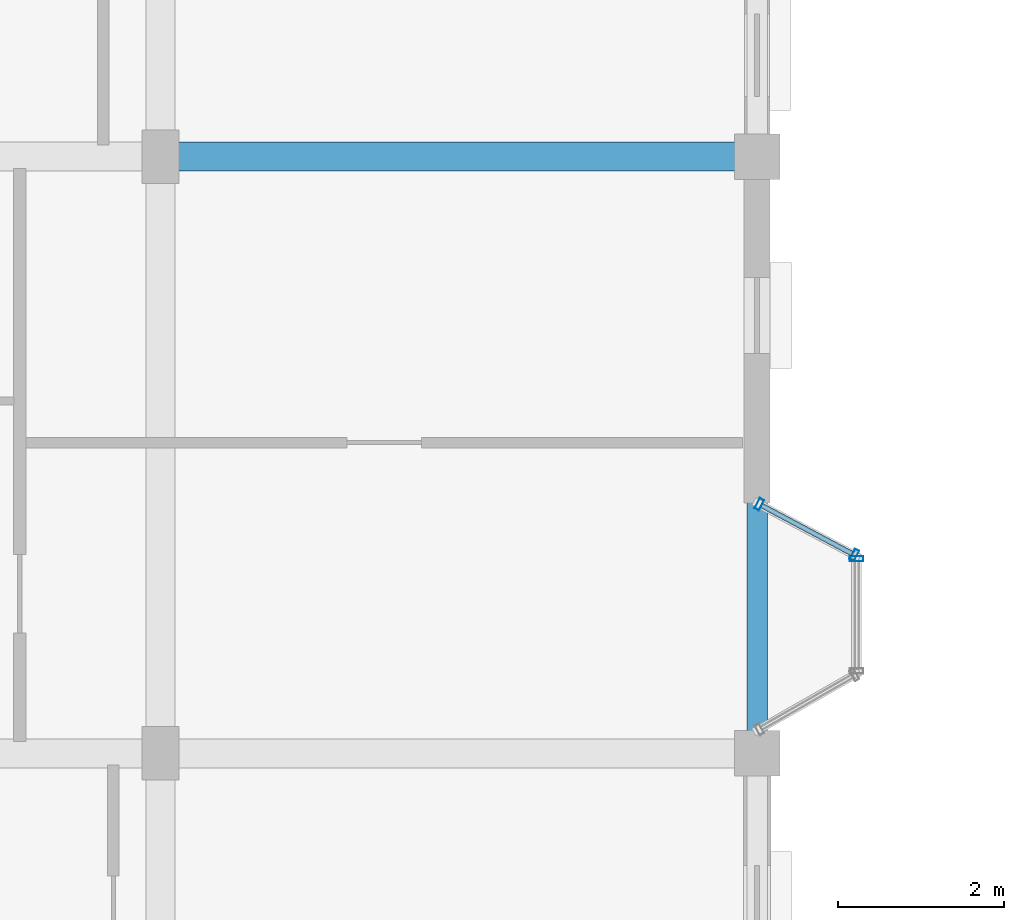
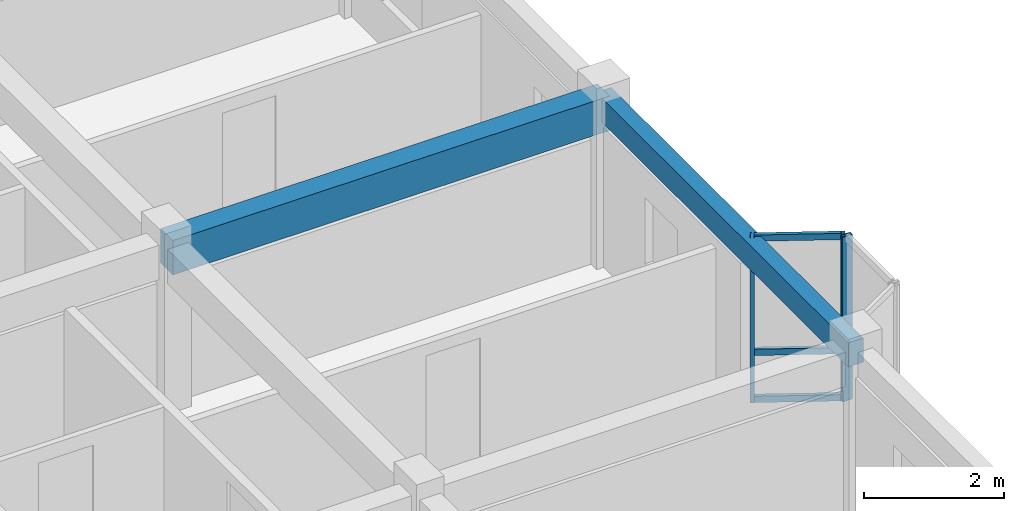
# One storey, part 11 of 75: 6 members, 2 beams, 2 elements without a shape of their own.
"""IFC4 building model written with IfcOpenShell, lengths in metres."""

import ifcopenshell
import ifcopenshell.guid

model = None  # the IFC model being written
_history = None  # IfcOwnerHistory: only IFC2X3 demands one
_inside = {}  # id of a spatial element -> (the spatial element, [elements in it])
_under = {}  # id of a project, library or spatial element -> (it, [spatial elements below it])
_declared = {}  # id of a project -> (the project, [libraries it declares])
_typed = {}  # id of a type object -> (the type object, [elements of that type])
_made_of = {}  # id of a material, layer set ... -> (it, [elements and type objects made of it])


def new_model(schema):
    """Start an empty IFC model of exactly this schema.

    Asked for "IFC4X3", IfcOpenShell would pick the latest addendum, in which some entities
    have other attributes; the version numbers below select the first issue.
    IFC2X3 requires an IfcOwnerHistory on every rooted entity: one is made here for all.
    """
    global model, _history
    if schema == "IFC4X3":
        model = ifcopenshell.file(schema_version=(4, 3, 0, 0))
    else:
        model = ifcopenshell.file(schema=schema)
    _inside.clear()
    _under.clear()
    _declared.clear()
    _typed.clear()
    _made_of.clear()
    _history = None
    if model.schema == "IFC2X3":
        org = make("IfcOrganization", Name="unknown")
        user = make(
            "IfcPersonAndOrganization",
            ThePerson=make("IfcPerson", FamilyName="unknown"),
            TheOrganization=org,
        )
        app = make(
            "IfcApplication",
            ApplicationDeveloper=org,
            Version="unknown",
            ApplicationFullName="unknown",
            ApplicationIdentifier="unknown",
        )
        _history = make(
            "IfcOwnerHistory",
            OwningUser=user,
            OwningApplication=app,
            ChangeAction="ADDED",
            CreationDate=0,
        )
    return model


def make(cls, **values):
    """One entity of the class cls with the attributes given. An attribute that is None is left unset."""
    return model.create_entity(
        cls, **{name: value for name, value in values.items() if value is not None}
    )


def rooted(cls, **values):
    """An entity with a GlobalId (a new one), such as an element, a storey or a relation."""
    return make(cls, GlobalId=ifcopenshell.guid.new(), OwnerHistory=_history, **values)


def si_unit(unit_type, name, prefix=None):
    """IfcSIUnit, for example si_unit("LENGTHUNIT", "METRE", prefix="MILLI")."""
    return make("IfcSIUnit", UnitType=unit_type, Prefix=prefix, Name=name)


def assignment(units):
    """IfcUnitAssignment: the units of a project."""
    return None if units is None else make("IfcUnitAssignment", Units=units)


def point(xyz):
    """IfcCartesianPoint."""
    return None if xyz is None else make("IfcCartesianPoint", Coordinates=xyz)


def direction(xyz):
    """IfcDirection."""
    return None if xyz is None else make("IfcDirection", DirectionRatios=xyz)


def frame(location, z_axis=None, x_axis=None):
    """IfcAxis2Placement3D, a coordinate frame: its origin and axes. An axis left out is left unset."""
    return make(
        "IfcAxis2Placement3D",
        Location=point(location),
        Axis=direction(z_axis),
        RefDirection=direction(x_axis),
    )


def frame_2d(location, x_axis=None):
    """IfcAxis2Placement2D, a coordinate frame in the plane: its origin and x axis."""
    return make(
        "IfcAxis2Placement2D", Location=point(location), RefDirection=direction(x_axis)
    )


def origin():
    """The frame at (0, 0, 0) with its axes left unset."""
    return frame((0.0, 0.0, 0.0))


def origin_2d():
    """The frame at (0, 0) in the plane with its x axis left unset."""
    return frame_2d((0.0, 0.0))


def place(relative_to, where):
    """IfcLocalPlacement: puts the frame where relative to a parent placement (None: the world)."""
    return make(
        "IfcLocalPlacement", PlacementRelTo=relative_to, RelativePlacement=where
    )


def context(
    kind, dimensions, precision=None, world=None, true_north=None, identifier=None
):
    """IfcGeometricRepresentationContext, for example the 3D "Model" context."""
    return make(
        "IfcGeometricRepresentationContext",
        ContextIdentifier=identifier,
        ContextType=kind,
        CoordinateSpaceDimension=dimensions,
        Precision=precision,
        WorldCoordinateSystem=world,
        TrueNorth=true_north,
    )


def subcontext(parent, identifier, kind, view, scale=None):
    """IfcGeometricRepresentationSubContext, for example "Body" below "Model"."""
    return make(
        "IfcGeometricRepresentationSubContext",
        ContextIdentifier=identifier,
        ContextType=kind,
        ParentContext=parent,
        TargetScale=scale,
        TargetView=view,
    )


def project(units=None, contexts=None):
    """IfcProject with its units and contexts."""
    return rooted(
        "IfcProject",
        Name="project",
        RepresentationContexts=contexts,
        UnitsInContext=assignment(units),
    )


def spatial(cls, under=None, at=None, **own):
    """A site, building, storey or space (cls), placed at a placement, below another one or the project."""
    s = rooted(cls, ObjectPlacement=at, **own)
    if under is not None:
        _under.setdefault(under.id(), (under, []))[1].append(s)
    return s


def profile(cls, at=None, kind="AREA", **sizes):
    """A parametric profile (cls). Its sizes go by their IFC names, for example OverallWidth=200.0."""
    return make(cls, ProfileType=kind, Position=at, **sizes)


def rectangle(**sizes):
    """IfcRectangleProfileDef."""
    return profile("IfcRectangleProfileDef", **sizes)


def hollow_rectangle(**sizes):
    """IfcRectangleHollowProfileDef."""
    return profile("IfcRectangleHollowProfileDef", **sizes)


def extrude(swept, where, along, depth):
    """IfcExtrudedAreaSolid: the profile swept, set in the frame where, extruded along a direction by depth."""
    return make(
        "IfcExtrudedAreaSolid",
        SweptArea=swept,
        Position=where,
        ExtrudedDirection=direction(along),
        Depth=depth,
    )


def shape(context_of_items, identifier, shape_type, items):
    """IfcShapeRepresentation: the items that make up one representation, for example the "Body"."""
    return make(
        "IfcShapeRepresentation",
        ContextOfItems=context_of_items,
        RepresentationIdentifier=identifier,
        RepresentationType=shape_type,
        Items=items,
    )


def material(Name=None, Category=None):
    """IfcMaterial."""
    return make("IfcMaterial", Name=Name, Category=Category)


def layer(
    of_material, thickness, ventilated=None, Name=None, Category=None, Priority=None
):
    """IfcMaterialLayer: one layer of a wall or slab, of a material (None: an air gap)."""
    return make(
        "IfcMaterialLayer",
        Material=of_material,
        LayerThickness=thickness,
        IsVentilated=ventilated,
        Name=Name,
        Category=Category,
        Priority=Priority,
    )


def layer_set(layers, Name=None):
    """IfcMaterialLayerSet."""
    return make("IfcMaterialLayerSet", MaterialLayers=layers, LayerSetName=Name)


def material_profile(
    of_material, cross_section, Name=None, Category=None, Priority=None
):
    """IfcMaterialProfile: a cross section and its material."""
    return make(
        "IfcMaterialProfile",
        Name=Name,
        Material=of_material,
        Profile=cross_section,
        Priority=Priority,
        Category=Category,
    )


def profile_set(profiles, Name=None, composite=None):
    """IfcMaterialProfileSet."""
    return make(
        "IfcMaterialProfileSet",
        Name=Name,
        MaterialProfiles=profiles,
        CompositeProfile=composite,
    )


def made_of(thing, what):
    """Note that an element or type object is made of a material, layer set ...; save() writes the relation."""
    if what is not None:
        _made_of.setdefault(what.id(), (what, []))[1].append(thing)
    return thing


def type_object(cls, material=None, **own):
    """A type object (cls), such as IfcWallType, which elements share."""
    return made_of(rooted(cls, **own), material)


def element(
    cls,
    number,
    at=None,
    inside=None,
    cuts=None,
    type_object=None,
    material=None,
    context=None,
    identifier="Body",
    shape_type=None,
    held_by="IfcProductDefinitionShape",
    body=None,
    shapes=None,
    **own,
):
    """One element of the class cls, such as IfcWall. Its Tag is "e" and its number.

    at: its placement. inside: the storey or other place that contains it. cuts: it is an
    opening in that element (IfcRelVoidsElement). A single representation is given by context,
    identifier, shape_type and body (its items); several are given by shapes. held_by: the class
    of the entity that holds the representations. save() writes the other relations.
    """
    e = rooted(cls, Tag="e%d" % number, ObjectPlacement=at, **own)
    if body is not None:
        shapes = [shape(context, identifier, shape_type, body)]
    if shapes is not None:
        e.Representation = make(held_by, Representations=shapes)
    if inside is not None:
        _inside.setdefault(inside.id(), (inside, []))[1].append(e)
    if cuts is not None:
        rooted(
            "IfcRelVoidsElement", RelatingBuildingElement=cuts, RelatedOpeningElement=e
        )
    if type_object is not None:
        _typed.setdefault(type_object.id(), (type_object, []))[1].append(e)
    return made_of(e, material)


def aggregate(whole, parts):
    """IfcRelAggregates: a whole, such as a stair, and the parts it consists of."""
    return rooted("IfcRelAggregates", RelatingObject=whole, RelatedObjects=parts)


def save(model, path):
    """Write the relations noted so far, then the file.

    IfcRelAggregates (storeys below a building ...), IfcRelContainedInSpatialStructure (elements
    in a storey), IfcRelDefinesByType, IfcRelAssociatesMaterial and IfcRelDeclares: one each for
    every whole, place, type object, material and project.
    """
    for whole, parts in _under.values():
        aggregate(whole, parts)
    for where, things in _inside.values():
        rooted(
            "IfcRelContainedInSpatialStructure",
            RelatedElements=things,
            RelatingStructure=where,
        )
    for kind, things in _typed.values():
        rooted("IfcRelDefinesByType", RelatedObjects=things, RelatingType=kind)
    for what, things in _made_of.values():
        rooted("IfcRelAssociatesMaterial", RelatedObjects=things, RelatingMaterial=what)
    for by, libraries in _declared.values():
        rooted("IfcRelDeclares", RelatingContext=by, RelatedDefinitions=libraries)
    model.write(path)


model = new_model("IFC4")

# Units and contexts
model_context = context("Model", 3, precision=1e-05, world=origin(), true_north=direction((0.0, 1.0)))
body_context = subcontext(model_context, "Body", "Model", "MODEL_VIEW")
ifc_project = project(units=[si_unit("LENGTHUNIT", "METRE"), si_unit("AREAUNIT", "SQUARE_METRE"), si_unit("VOLUMEUNIT", "CUBIC_METRE"), si_unit("PLANEANGLEUNIT", "RADIAN"), si_unit("MASSUNIT", "GRAM", prefix="KILO"), si_unit("THERMODYNAMICTEMPERATUREUNIT", "KELVIN"), si_unit("POWERUNIT", "WATT")], contexts=[model_context])

# Site, building, storey
site_placement = place(None, origin())
site = spatial("IfcSite", under=ifc_project, at=site_placement, CompositionType="ELEMENT")
building_placement = place(site_placement, origin())
building = spatial("IfcBuilding", under=site, at=building_placement, Name="Tavuni Mirador Residences", CompositionType="ELEMENT")
storey_placement = place(building_placement, frame((0.0, 0.0, 20.25)))
storey = spatial("IfcBuildingStorey", under=building, at=storey_placement, Name="L06", CompositionType="ELEMENT", Elevation=20.25)

# Beams
ifc_material_1 = material(Name="Precast concrete C40/50", Category="concrete")
ifc_material_profile_1 = material_profile(ifc_material_1, rectangle(XDim=0.35009765625, YDim=0.60009765625, at=origin_2d()), Name="PC 350x600", Category="concrete")
ifc_profile_set_1 = profile_set([ifc_material_profile_1], Name="Precast concrete C40/50")
beam_type_1 = type_object("IfcBeamType", Name="BT-B600", PredefinedType="BEAM", material=ifc_profile_set_1)
beam_1_placement = place(storey_placement, frame((25.199951171875, 28.800048828125, 2.570068359375), z_axis=(1.0, 0.0, 0.0), x_axis=(0.0, 1.0, 0.0)))
element("IfcBeam", 1, at=beam_1_placement, inside=storey, type_object=beam_type_1, Name="BMX-BLK-A-L06-03-03", PredefinedType="BEAM", context=body_context, shape_type="SweptSolid", body=[
    extrude(rectangle(XDim=0.35009765625, YDim=0.60009765625, at=origin_2d()), origin(), (0.0, 0.0, 1.0), 7.199951171875),
])
ifc_material_profile_2 = material_profile(ifc_material_1, rectangle(XDim=0.25, YDim=0.419921875, at=origin_2d()), Name="PC 250x420", Category="concrete")
ifc_profile_set_2 = profile_set([ifc_material_profile_2], Name="Precast concrete C40/50")
beam_type_2 = type_object("IfcBeamType", Name="BT-SP420", PredefinedType="SPANDREL", material=ifc_profile_set_2)
beam_2_placement = place(storey_placement, frame((32.39990234375, 21.60009765625, 2.659912109375), z_axis=(0.0, 1.0, 0.0), x_axis=(-1.0, 0.0, 0.0)))
element("IfcBeam", 2, at=beam_2_placement, inside=storey, type_object=beam_type_2, Name="BMY-BLK-A-L06-04-02", PredefinedType="SPANDREL", context=body_context, shape_type="SweptSolid", body=[
    extrude(rectangle(XDim=0.25, YDim=0.419921875, at=origin_2d()), origin(), (0.0, 0.0, 1.0), 7.199951171875),
])

# Curtain wall, members
ifc_material_2 = material(Name="Anodised aluminium", Category="aluminium")
ifc_layer_1 = layer(ifc_material_2, 0.175048828125, Name="Anodised aluminium", Category="aluminium")
ifc_layer_set_1 = layer_set([ifc_layer_1], Name="Anodised aluminium")
curtain_wall_type_1 = type_object("IfcCurtainWallType", Name="CWT-MIR-C", PredefinedType="NOTDEFINED", material=ifc_layer_set_1)
curtain_wall_1_placement = place(storey_placement, origin())
curtain_wall_1 = element("IfcCurtainWall", 3, at=curtain_wall_1_placement, inside=storey, type_object=curtain_wall_type_1, Name="CW-MIR-A-E2-L06-M2", PredefinedType="NOTDEFINED")
ifc_material_profile_3 = material_profile(ifc_material_2, hollow_rectangle(XDim=0.06005859375, YDim=0.139892578125, WallThickness=0.00390625, at=origin_2d()), Name="ALU 60x140x4.0", Category="aluminium")
ifc_profile_set_3 = profile_set([ifc_material_profile_3], Name="Anodised aluminium")
member_type_1 = type_object("IfcMemberType", Name="CWM-140", PredefinedType="MULLION", material=ifc_profile_set_3)
member_1_placement = place(storey_placement, frame((33.573486328125, 23.994140625, 0.0), z_axis=(0.0, 0.0, 1.0), x_axis=(-0.882352941175, 0.470588235296, 0.0)))
member_1 = element("IfcMember", 4, at=member_1_placement, type_object=member_type_1, Name="CW-03 mullion 1", PredefinedType="MULLION", context=body_context, shape_type="SweptSolid", body=[
    extrude(hollow_rectangle(XDim=0.06005859375, YDim=0.139892578125, WallThickness=0.00390625, at=origin_2d()), origin(), (0.0, 0.0, 1.0), 2.8701171875),
])
member_2_placement = place(storey_placement, frame((32.426513671875, 24.60595703125, 0.0), z_axis=(0.0, 0.0, 1.0), x_axis=(-0.882352941175, 0.470588235296, 0.0)))
member_2 = element("IfcMember", 5, at=member_2_placement, type_object=member_type_1, Name="CW-03 mullion 2", PredefinedType="MULLION", context=body_context, shape_type="SweptSolid", body=[
    extrude(hollow_rectangle(XDim=0.06005859375, YDim=0.139892578125, WallThickness=0.00390625, at=origin_2d()), origin(), (0.0, 0.0, 1.0), 2.8701171875),
])

# Curtain wall, member
ifc_layer_2 = layer(ifc_material_2, 0.14990234375, Name="Anodised aluminium", Category="aluminium")
ifc_layer_set_2 = layer_set([ifc_layer_2], Name="Anodised aluminium")
curtain_wall_type_2 = type_object("IfcCurtainWallType", Name="CWT-MIR-B", PredefinedType="NOTDEFINED", material=ifc_layer_set_2)
curtain_wall_2_placement = place(storey_placement, origin())
curtain_wall_2 = element("IfcCurtainWall", 6, at=curtain_wall_2_placement, inside=storey, type_object=curtain_wall_type_2, Name="CW-MIR-A-E2-L06-MF", PredefinedType="NOTDEFINED")
ifc_material_profile_4 = material_profile(ifc_material_2, hollow_rectangle(XDim=0.06494140625, YDim=0.1650390625, WallThickness=0.00439453125, at=origin_2d()), Name="ALU 65x165x4.5", Category="aluminium")
ifc_profile_set_4 = profile_set([ifc_material_profile_4], Name="Anodised aluminium")
member_type_2 = type_object("IfcMemberType", Name="CWM-165", PredefinedType="MULLION", material=ifc_profile_set_4)
member_3_placement = place(storey_placement, frame((33.60009765625, 23.947509765625, 0.0), z_axis=(0.0, 0.0, 1.0), x_axis=(0.0, 1.0, 0.0)))
member_3 = element("IfcMember", 7, at=member_3_placement, type_object=member_type_2, Name="CW-02 mullion 2", PredefinedType="MULLION", context=body_context, shape_type="SweptSolid", body=[
    extrude(hollow_rectangle(XDim=0.06494140625, YDim=0.1650390625, WallThickness=0.00439453125, at=origin_2d()), origin(), (0.0, 0.0, 1.0), 2.8701171875),
])
aggregate(curtain_wall_2, [member_3])

# Member
ifc_material_profile_5 = material_profile(ifc_material_2, hollow_rectangle(XDim=0.06005859375, YDim=0.110107421875, WallThickness=0.00390625, at=origin_2d()), Name="ALU 60x110x4.0", Category="aluminium")
ifc_profile_set_5 = profile_set([ifc_material_profile_5], Name="Anodised aluminium")
member_type_3 = type_object("IfcMemberType", Name="CWT-110", PredefinedType="USERDEFINED", material=ifc_profile_set_5)
member_4_placement = place(storey_placement, frame((33.547119140625, 24.00830078125, 0.030029296875), z_axis=(-0.882385637708, 0.470526924168, 0.0), x_axis=(-0.470526924168, -0.882385637708, 0.0)))
member_4 = element("IfcMember", 8, at=member_4_placement, type_object=member_type_3, Name="CW-03 transom 1.1", ObjectType="TRANSOM", PredefinedType="USERDEFINED", context=body_context, shape_type="SweptSolid", body=[
    extrude(hollow_rectangle(XDim=0.06005859375, YDim=0.110107421875, WallThickness=0.00390625, at=origin_2d()), origin(), (0.0, 0.0, 1.0), 1.239990234375),
])

member_5_placement = place(storey_placement, frame((33.547119140625, 24.00830078125, 0.85009765625), z_axis=(-0.882385637708, 0.470526924168, 0.0), x_axis=(-0.470526924168, -0.882385637708, 0.0)))
member_5 = element("IfcMember", 9, at=member_5_placement, type_object=member_type_3, Name="CW-03 transom 1.2", ObjectType="TRANSOM", PredefinedType="USERDEFINED", context=body_context, shape_type="SweptSolid", body=[
    extrude(hollow_rectangle(XDim=0.06005859375, YDim=0.110107421875, WallThickness=0.00390625, at=origin_2d()), origin(), (0.0, 0.0, 1.0), 1.239990234375),
])

member_6_placement = place(storey_placement, frame((33.547119140625, 24.00830078125, 2.840087890625), z_axis=(-0.882385637708, 0.470526924168, 0.0), x_axis=(-0.470526924168, -0.882385637708, 0.0)))
member_6 = element("IfcMember", 10, at=member_6_placement, type_object=member_type_3, Name="CW-03 transom 1.3", ObjectType="TRANSOM", PredefinedType="USERDEFINED", context=body_context, shape_type="SweptSolid", body=[
    extrude(hollow_rectangle(XDim=0.06005859375, YDim=0.110107421875, WallThickness=0.00390625, at=origin_2d()), origin(), (0.0, 0.0, 1.0), 1.239990234375),
])

aggregate(curtain_wall_1, [member_1, member_2, member_4, member_5, member_6])

save(model, "model.ifc")
